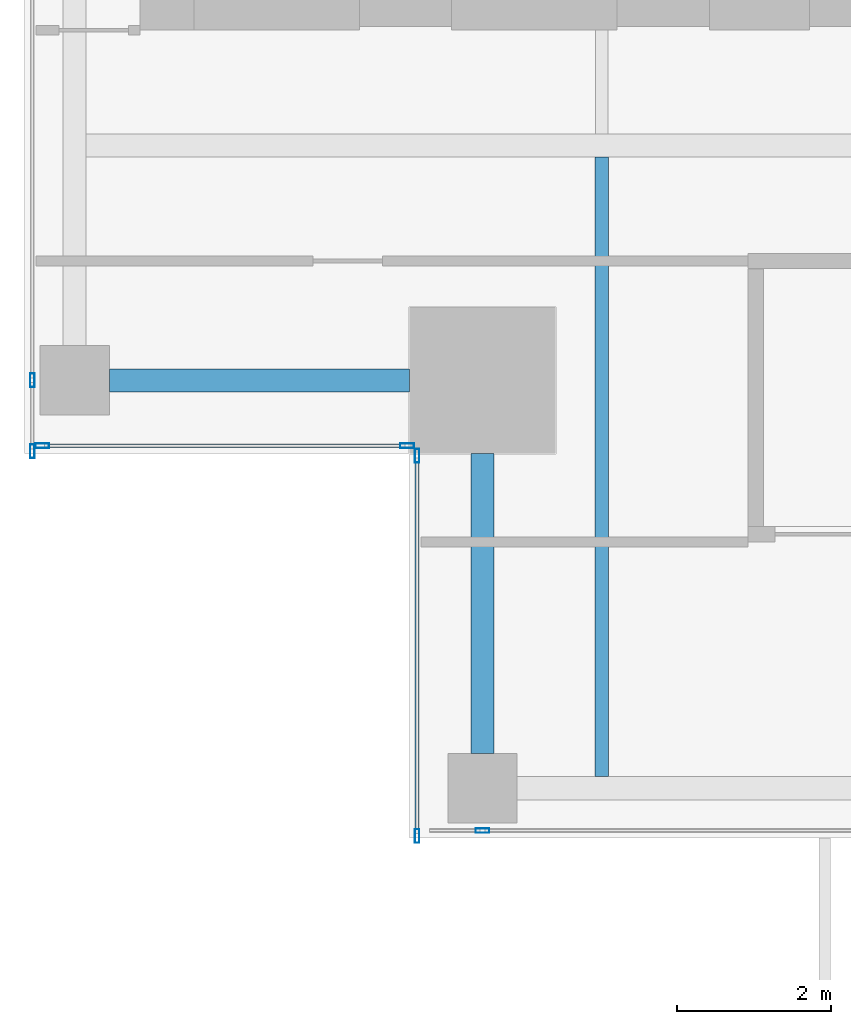
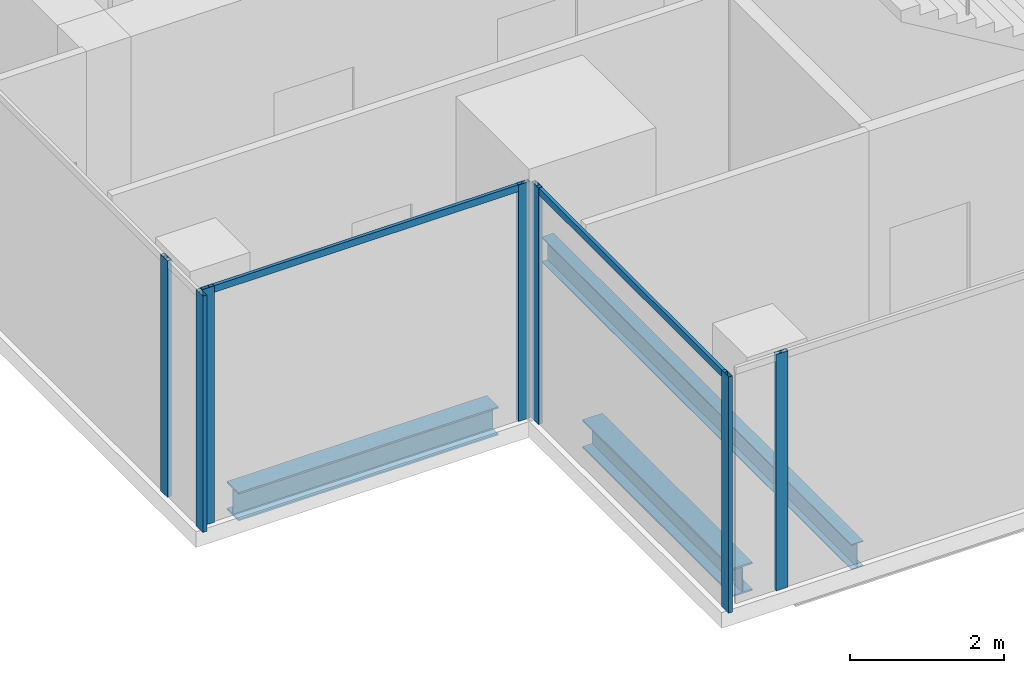
# One storey, part 2 of 34: 9 members, 3 beams, 4 elements without a shape of their own.
"""IFC4 building model written with IfcOpenShell, lengths in metres."""

from ifc_helpers import new_model, si_unit, direction, frame, origin, origin_2d, place, context, subcontext, project, spatial, hollow_rectangle, i_section, extrude, source, transform, mapped, material, material_profile, profile_set, type_object, element, aggregate, save


model = new_model("IFC4")

# Units and contexts
model_context = context("Model", 3, precision=1e-05, world=origin(), true_north=direction((0.0, 1.0)))
body_context = subcontext(model_context, "Body", "Model", "MODEL_VIEW")
ifc_project = project(units=[si_unit("LENGTHUNIT", "METRE"), si_unit("AREAUNIT", "SQUARE_METRE"), si_unit("VOLUMEUNIT", "CUBIC_METRE"), si_unit("PLANEANGLEUNIT", "RADIAN"), si_unit("MASSUNIT", "GRAM", prefix="KILO")], contexts=[model_context])

# Site, building, storey
site_placement = place(None, origin())
site = spatial("IfcSite", under=ifc_project, at=site_placement, CompositionType="ELEMENT")
building_placement = place(site_placement, origin())
building = spatial("IfcBuilding", under=site, at=building_placement, Name="Khomas Fold Tower", CompositionType="ELEMENT")
storey_placement = place(building_placement, frame((0.0, 0.0, 242.199951171875)))
storey = spatial("IfcBuildingStorey", under=building, at=storey_placement, Name="L54", CompositionType="ELEMENT", Elevation=242.199951171875)

# Beams
ifc_material_1 = material(Name="Steel S355", Category="steel")
ifc_material_profile_1 = material_profile(ifc_material_1, i_section(OverallWidth=0.300048828125, OverallDepth=0.449951171875, WebThickness=0.013916015625, FlangeThickness=0.02587890625, at=origin_2d()), Name="HE 450 B")
ifc_profile_set_1 = profile_set([ifc_material_profile_1], Name="Steel S355")
beam_type_1 = type_object("IfcBeamType", Name="HE 450 B spandrel SB4", PredefinedType="SPANDREL", material=ifc_profile_set_1)
shared_shape_1 = source(origin(), body_context, "Body", "SweptSolid", [
    extrude(i_section(OverallWidth=0.300048828125, OverallDepth=0.449951171875, WebThickness=0.013916015625, FlangeThickness=0.02587890625, at=origin_2d()), origin(), (0.0, 0.0, 1.0), 3.89990234375),
])
for number, where, z_axis, x_axis, name in (
    (1, (5.60009765625, 10.449951171875, -0.474853515625), (1.0, 0.0, 0.0), (0.0, 1.0, 0.0), "SB4"),
    (2, (10.449951171875, 5.60009765625, -0.474853515625), (0.0, 1.0, 0.0), (-1.0, 0.0, 0.0), "SB4"),
):
    element("IfcBeam", number, at=place(storey_placement, frame(where, z_axis=z_axis, x_axis=x_axis)), inside=storey, type_object=beam_type_1, Name=name, PredefinedType="SPANDREL", context=body_context, shape_type="MappedRepresentation", body=[
        mapped(shared_shape_1, transform((0.0, 0.0, 0.0))),
    ])
ifc_material_2 = material(Name="Steel S355", Category="steel")
ifc_material_profile_2 = material_profile(ifc_material_2, i_section(OverallWidth=0.179931640625, OverallDepth=0.39990234375, WebThickness=0.008544921875, FlangeThickness=0.013427734375, at=origin_2d()), Name="IPE 400")
ifc_profile_set_2 = profile_set([ifc_material_profile_2], Name="Steel S355")
beam_type_2 = type_object("IfcBeamType", Name="IPE 400 beam JB3", PredefinedType="BEAM", material=ifc_profile_set_2)
shared_shape_2 = source(origin(), body_context, "Body", "SweptSolid", [
    extrude(i_section(OverallWidth=0.179931640625, OverallDepth=0.39990234375, WebThickness=0.008544921875, FlangeThickness=0.013427734375, at=origin_2d()), origin(), (0.0, 0.0, 1.0), 8.050048828125),
])
beam_placement = place(storey_placement, frame((12.0, 5.300048828125, -0.449951171875), z_axis=(0.0, 1.0, 0.0), x_axis=(-1.0, 0.0, 0.0)))
element("IfcBeam", 3, at=beam_placement, inside=storey, type_object=beam_type_2, Name="JB3", PredefinedType="BEAM", context=body_context, shape_type="MappedRepresentation", body=[
    mapped(shared_shape_2, transform((0.0, 0.0, 0.0))),
])

# Curtain wall, member
ifc_material_3 = material(Name="Aluminium framed double glazing", Category="aluminium")
curtain_wall_type = type_object("IfcCurtainWallType", Name="SK-Unitised clear-glass wall, office floors CW2", PredefinedType="NOTDEFINED", material=ifc_material_3)
curtain_wall_1_placement = place(storey_placement, origin())
curtain_wall_1 = element("IfcCurtainWall", 4, at=curtain_wall_1_placement, inside=storey, type_object=curtain_wall_type, Name="CW2 run L54 00-0", PredefinedType="NOTDEFINED")
ifc_material_4 = material(Name="Aluminium", Category="aluminium")
ifc_material_profile_3 = material_profile(ifc_material_4, hollow_rectangle(XDim=0.06005859375, YDim=0.179931640625, WallThickness=0.00390625, at=origin_2d()), Name="SK-Unitised clear-glass wall, office floors mullion CW2-M")
ifc_profile_set_3 = profile_set([ifc_material_profile_3], Name="Aluminium")
member_type_1 = type_object("IfcMemberType", Name="SK-Unitised clear-glass wall, office floors mullion CW2-M", PredefinedType="MULLION", material=ifc_profile_set_3)
shared_shape_3 = source(origin(), body_context, "Body", "SweptSolid", [
    extrude(hollow_rectangle(XDim=0.06005859375, YDim=0.179931640625, WallThickness=0.00390625, at=origin_2d()), origin(), (0.0, 0.0, 1.0), 3.75),
])
member_1_placement = place(storey_placement, frame((10.449951171875, 4.60009765625, 0.0), z_axis=(0.0, 0.0, 1.0), x_axis=(0.0, 1.0, 0.0)))
member_1 = element("IfcMember", 5, at=member_1_placement, type_object=member_type_1, Name="CW2 mullion 2", PredefinedType="MULLION", context=body_context, shape_type="MappedRepresentation", body=[
    mapped(shared_shape_3, transform((0.0, 0.0, 0.0))),
])
aggregate(curtain_wall_1, [member_1])

# Curtain wall, members
curtain_wall_2_placement = place(storey_placement, origin())
curtain_wall_2 = element("IfcCurtainWall", 6, at=curtain_wall_2_placement, inside=storey, type_object=curtain_wall_type, Name="CW2 run L54 09-0", PredefinedType="NOTDEFINED")
member_2_placement = place(storey_placement, frame((4.60009765625, 10.449951171875, 0.0), z_axis=(0.0, 0.0, 1.0), x_axis=(1.0, 0.0, 0.0)))
member_2 = element("IfcMember", 7, at=member_2_placement, type_object=member_type_1, Name="CW2 mullion 6", PredefinedType="MULLION", context=body_context, shape_type="MappedRepresentation", body=[
    mapped(shared_shape_3, transform((0.0, 0.0, 0.0))),
])
member_3_placement = place(storey_placement, frame((4.60009765625, 9.530029296875, 0.0), z_axis=(0.0, 0.0, 1.0), x_axis=(1.0, 0.0, 0.0)))
member_3 = element("IfcMember", 8, at=member_3_placement, type_object=member_type_1, Name="CW2 mullion 7", PredefinedType="MULLION", context=body_context, shape_type="MappedRepresentation", body=[
    mapped(shared_shape_3, transform((0.0, 0.0, 0.0))),
])
aggregate(curtain_wall_2, [member_2, member_3])

curtain_wall_3_placement = place(storey_placement, origin())
curtain_wall_3 = element("IfcCurtainWall", 9, at=curtain_wall_3_placement, inside=storey, type_object=curtain_wall_type, Name="CW2 corner return L54 10", PredefinedType="NOTDEFINED")
member_4_placement = place(storey_placement, frame((4.72998046875, 9.60009765625, 0.0), z_axis=(0.0, 0.0, 1.0), x_axis=(0.0, 1.0, 0.0)))
member_4 = element("IfcMember", 10, at=member_4_placement, type_object=member_type_1, Name="CW2 mullion 1", PredefinedType="MULLION", context=body_context, shape_type="MappedRepresentation", body=[
    mapped(shared_shape_3, transform((0.0, 0.0, 0.0))),
])
member_5_placement = place(storey_placement, frame((9.469970703125, 9.60009765625, 0.0), z_axis=(0.0, 0.0, 1.0), x_axis=(0.0, 1.0, 0.0)))
member_5 = element("IfcMember", 11, at=member_5_placement, type_object=member_type_1, Name="CW2 mullion 2", PredefinedType="MULLION", context=body_context, shape_type="MappedRepresentation", body=[
    mapped(shared_shape_3, transform((0.0, 0.0, 0.0))),
])

curtain_wall_4_placement = place(storey_placement, origin())
curtain_wall_4 = element("IfcCurtainWall", 12, at=curtain_wall_4_placement, inside=storey, type_object=curtain_wall_type, Name="CW2 corner return L54 11", PredefinedType="NOTDEFINED")
member_6_placement = place(storey_placement, frame((9.60009765625, 9.469970703125, 0.0), z_axis=(0.0, 0.0, 1.0), x_axis=(1.0, 0.0, 0.0)))
member_6 = element("IfcMember", 13, at=member_6_placement, type_object=member_type_1, Name="CW2 mullion 1", PredefinedType="MULLION", context=body_context, shape_type="MappedRepresentation", body=[
    mapped(shared_shape_3, transform((0.0, 0.0, 0.0))),
])
member_7_placement = place(storey_placement, frame((9.60009765625, 4.530029296875, 0.0), z_axis=(0.0, 0.0, 1.0), x_axis=(1.0, 0.0, 0.0)))
member_7 = element("IfcMember", 14, at=member_7_placement, type_object=member_type_1, Name="CW2 mullion 2", PredefinedType="MULLION", context=body_context, shape_type="MappedRepresentation", body=[
    mapped(shared_shape_3, transform((0.0, 0.0, 0.0))),
])

# Member
ifc_material_5 = material(Name="Aluminium", Category="aluminium")
ifc_material_profile_4 = material_profile(ifc_material_5, hollow_rectangle(XDim=0.050048828125, YDim=0.110107421875, WallThickness=0.00390625, at=origin_2d()), Name="SK-Unitised clear-glass wall, office floors transom CW2-T")
ifc_profile_set_4 = profile_set([ifc_material_profile_4], Name="Aluminium")
member_type_2 = type_object("IfcMemberType", Name="SK-Unitised clear-glass wall, office floors transom CW2-T", PredefinedType="USERDEFINED", material=ifc_profile_set_4)
shared_shape_4 = source(origin(), body_context, "Body", "SweptSolid", [
    extrude(hollow_rectangle(XDim=0.050048828125, YDim=0.110107421875, WallThickness=0.00390625, at=origin_2d()), origin(), (0.0, 0.0, 1.0), 4.679931640625),
])
member_8_placement = place(storey_placement, frame((4.760009765625, 9.60009765625, 3.695068359375), z_axis=(1.0, 0.0, 0.0), x_axis=(0.0, 1.0, 0.0)))
member_8 = element("IfcMember", 15, at=member_8_placement, type_object=member_type_2, Name="CW2 transom 1", ObjectType="TRANSOM", PredefinedType="USERDEFINED", context=body_context, shape_type="MappedRepresentation", body=[
    mapped(shared_shape_4, transform((0.0, 0.0, 0.0))),
])

aggregate(curtain_wall_3, [member_4, member_5, member_8])

shared_shape_5 = source(origin(), body_context, "Body", "SweptSolid", [
    extrude(hollow_rectangle(XDim=0.050048828125, YDim=0.110107421875, WallThickness=0.00390625, at=origin_2d()), origin(), (0.0, 0.0, 1.0), 4.8798828125),
])
member_9_placement = place(storey_placement, frame((9.60009765625, 9.43994140625, 3.695068359375), z_axis=(0.0, -1.0, 0.0), x_axis=(1.0, 0.0, 0.0)))
member_9 = element("IfcMember", 16, at=member_9_placement, type_object=member_type_2, Name="CW2 transom 1", ObjectType="TRANSOM", PredefinedType="USERDEFINED", context=body_context, shape_type="MappedRepresentation", body=[
    mapped(shared_shape_5, transform((0.0, 0.0, 0.0))),
])

aggregate(curtain_wall_4, [member_6, member_7, member_9])

save(model, "model.ifc")
